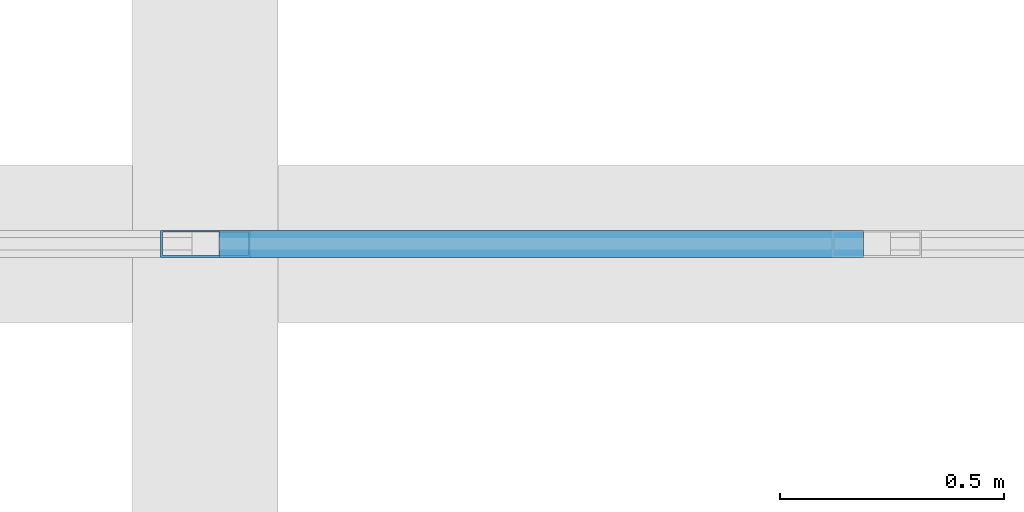
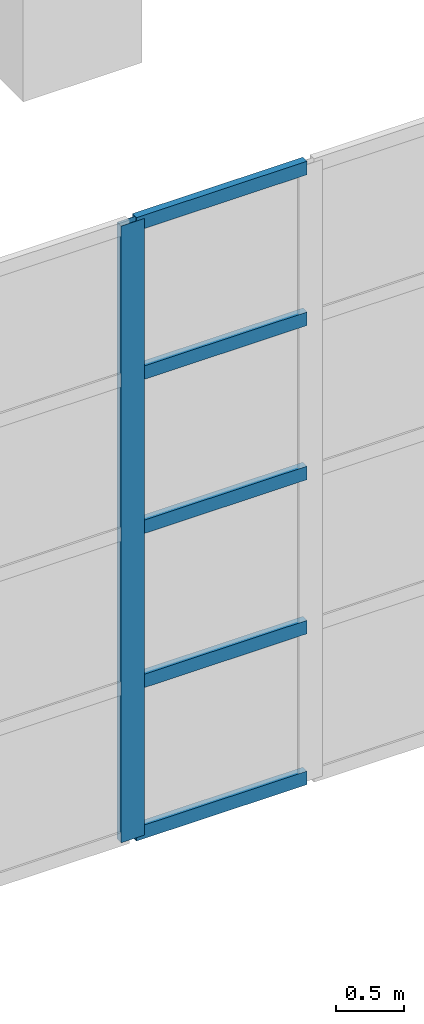
# One storey, part 176 of 437: 6 members, 1 element without a shape of its own.
"""IFC4 building model written with IfcOpenShell, lengths in metres."""

from ifc_helpers import new_model, si_unit, direction, frame, origin, origin_2d, place, context, subcontext, project, spatial, hollow_rectangle, extrude, material, layer, layer_set, material_profile, profile_set, type_object, element, aggregate, save


model = new_model("IFC4")

# Units and contexts
model_context = context("Model", 3, precision=1e-05, world=origin(), true_north=direction((0.0, 1.0)))
body_context = subcontext(model_context, "Body", "Model", "MODEL_VIEW")
ifc_project = project(units=[si_unit("LENGTHUNIT", "METRE"), si_unit("AREAUNIT", "SQUARE_METRE"), si_unit("VOLUMEUNIT", "CUBIC_METRE"), si_unit("PLANEANGLEUNIT", "RADIAN"), si_unit("MASSUNIT", "GRAM", prefix="KILO")], contexts=[model_context])

# Site, building, storey
site_placement = place(None, origin())
site = spatial("IfcSite", under=ifc_project, at=site_placement, CompositionType="ELEMENT")
building_placement = place(site_placement, origin())
building = spatial("IfcBuilding", under=site, at=building_placement, Name="Opaline Strait Convention Centre", CompositionType="ELEMENT")
storey_placement = place(building_placement, frame((0.0, 0.0, 11.5)))
storey = spatial("IfcBuildingStorey", under=building, at=storey_placement, Name="L02", CompositionType="ELEMENT", Elevation=11.5)

# Curtain wall, members
ifc_material_1 = material(Name="Aluminium framed glazing", Category="aluminium")
ifc_layer = layer(ifc_material_1, 0.199951171875)
ifc_layer_set = layer_set([ifc_layer], Name="Aluminium framed glazing")
curtain_wall_type = type_object("IfcCurtainWallType", Name="Entrance curtain wall 1500", PredefinedType="NOTDEFINED", material=ifc_layer_set)
curtain_wall_placement = place(storey_placement, origin())
curtain_wall = element("IfcCurtainWall", 1, at=curtain_wall_placement, inside=storey, type_object=curtain_wall_type, Name="Entrance curtain wall L02-R2", PredefinedType="NOTDEFINED")
ifc_material_2 = material(Name="Aluminium alloy 6063", Category="aluminium")
ifc_material_profile_1 = material_profile(ifc_material_2, hollow_rectangle(XDim=0.06005859375, YDim=0.199951171875, WallThickness=0.00390625, at=origin_2d()), Name="MULLION 60x200x4")
ifc_profile_set_1 = profile_set([ifc_material_profile_1], Name="Aluminium alloy 6063")
member_type_1 = type_object("IfcMemberType", Name="Curtain wall mullion 60 x 200", PredefinedType="MULLION", material=ifc_profile_set_1)
member_1_placement = place(storey_placement, frame((184.5, 144.0, 0.0), z_axis=(0.0, 0.0, 1.0), x_axis=(0.0, 1.0, 0.0)))
member_1 = element("IfcMember", 2, at=member_1_placement, type_object=member_type_1, Name="XCW mullion 10", PredefinedType="MULLION", context=body_context, shape_type="SweptSolid", body=[
    extrude(hollow_rectangle(XDim=0.06005859375, YDim=0.199951171875, WallThickness=0.00390625, at=origin_2d()), origin(), (0.0, 0.0, 1.0), 5.5),
])
ifc_material_profile_2 = material_profile(ifc_material_2, hollow_rectangle(XDim=0.06005859375, YDim=0.1201171875, WallThickness=0.0029296875, at=origin_2d()), Name="TRANSOM 60x120x3")
ifc_profile_set_2 = profile_set([ifc_material_profile_2], Name="Aluminium alloy 6063")
member_type_2 = type_object("IfcMemberType", Name="Curtain wall transom 60 x 120", PredefinedType="USERDEFINED", material=ifc_profile_set_2)
member_2_placement = place(storey_placement, frame((184.530029296875, 144.0, 0.030029296875), z_axis=(1.0, 0.0, 0.0), x_axis=(0.0, 1.0, 0.0)))
member_2 = element("IfcMember", 3, at=member_2_placement, type_object=member_type_2, Name="XCW transom 10.1", ObjectType="TRANSOM", PredefinedType="USERDEFINED", context=body_context, shape_type="SweptSolid", body=[
    extrude(hollow_rectangle(XDim=0.06005859375, YDim=0.1201171875, WallThickness=0.0029296875, at=origin_2d()), origin(), (0.0, 0.0, 1.0), 1.43994140625),
])
member_3_placement = place(storey_placement, frame((184.530029296875, 144.0, 1.375), z_axis=(1.0, 0.0, 0.0), x_axis=(0.0, 1.0, 0.0)))
member_3 = element("IfcMember", 4, at=member_3_placement, type_object=member_type_2, Name="XCW transom 10.2", ObjectType="TRANSOM", PredefinedType="USERDEFINED", context=body_context, shape_type="SweptSolid", body=[
    extrude(hollow_rectangle(XDim=0.06005859375, YDim=0.1201171875, WallThickness=0.0029296875, at=origin_2d()), origin(), (0.0, 0.0, 1.0), 1.43994140625),
])
member_4_placement = place(storey_placement, frame((184.530029296875, 144.0, 2.75), z_axis=(1.0, 0.0, 0.0), x_axis=(0.0, 1.0, 0.0)))
member_4 = element("IfcMember", 5, at=member_4_placement, type_object=member_type_2, Name="XCW transom 10.3", ObjectType="TRANSOM", PredefinedType="USERDEFINED", context=body_context, shape_type="SweptSolid", body=[
    extrude(hollow_rectangle(XDim=0.06005859375, YDim=0.1201171875, WallThickness=0.0029296875, at=origin_2d()), origin(), (0.0, 0.0, 1.0), 1.43994140625),
])
member_5_placement = place(storey_placement, frame((184.530029296875, 144.0, 4.125), z_axis=(1.0, 0.0, 0.0), x_axis=(0.0, 1.0, 0.0)))
member_5 = element("IfcMember", 6, at=member_5_placement, type_object=member_type_2, Name="XCW transom 10.4", ObjectType="TRANSOM", PredefinedType="USERDEFINED", context=body_context, shape_type="SweptSolid", body=[
    extrude(hollow_rectangle(XDim=0.06005859375, YDim=0.1201171875, WallThickness=0.0029296875, at=origin_2d()), origin(), (0.0, 0.0, 1.0), 1.43994140625),
])
member_6_placement = place(storey_placement, frame((184.530029296875, 144.0, 5.469970703125), z_axis=(1.0, 0.0, 0.0), x_axis=(0.0, 1.0, 0.0)))
member_6 = element("IfcMember", 7, at=member_6_placement, type_object=member_type_2, Name="XCW transom 10.5", ObjectType="TRANSOM", PredefinedType="USERDEFINED", context=body_context, shape_type="SweptSolid", body=[
    extrude(hollow_rectangle(XDim=0.06005859375, YDim=0.1201171875, WallThickness=0.0029296875, at=origin_2d()), origin(), (0.0, 0.0, 1.0), 1.43994140625),
])
aggregate(curtain_wall, [member_1, member_2, member_3, member_4, member_5, member_6])

save(model, "model.ifc")
